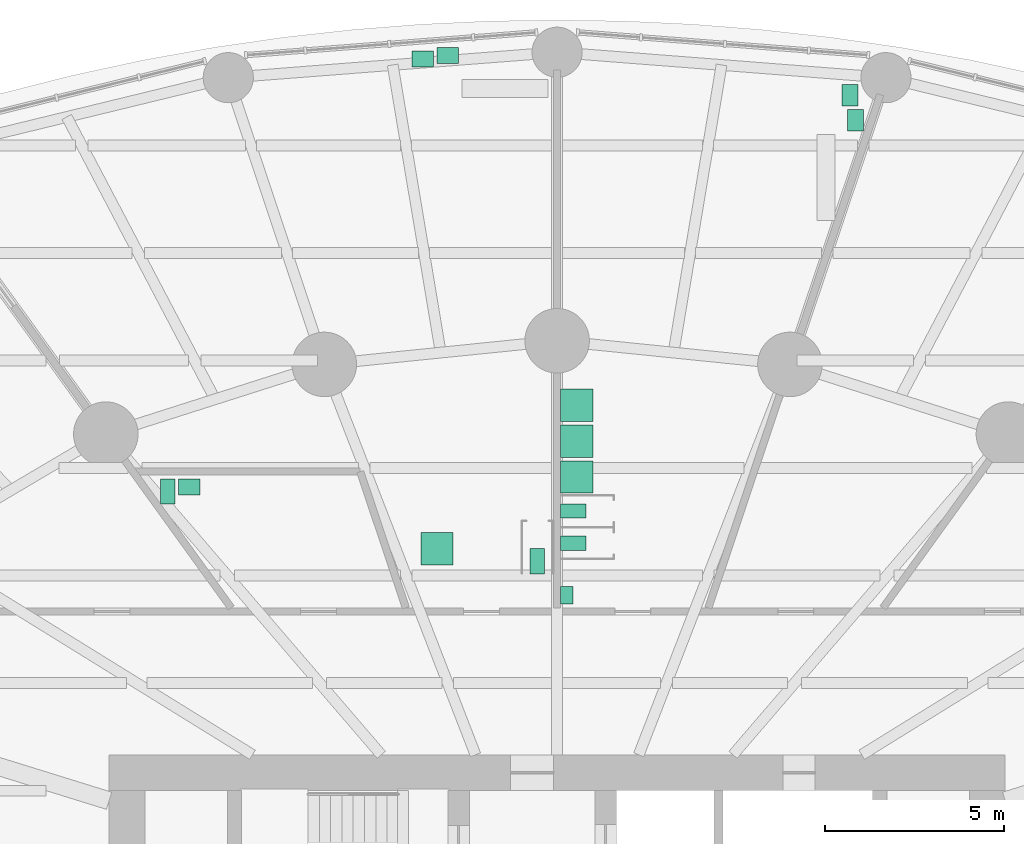
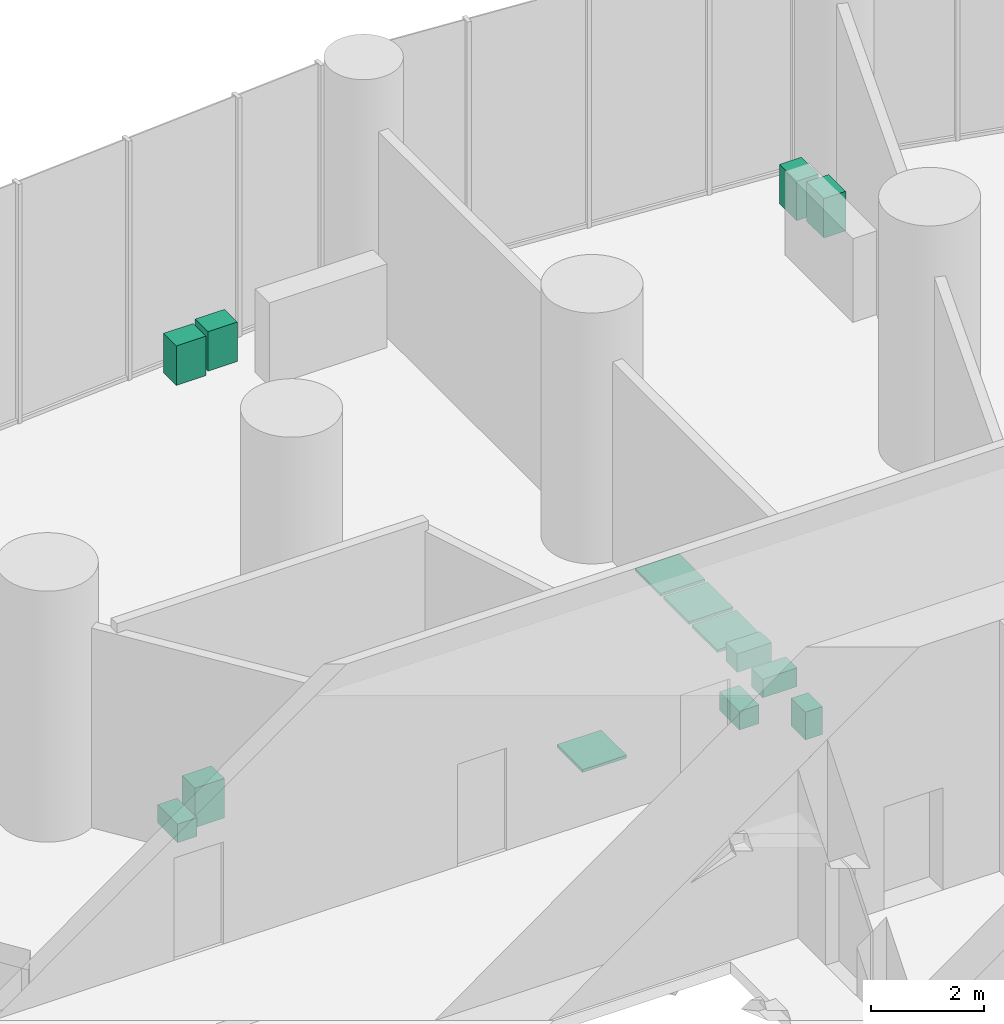
# One storey, part 21 of 23: 14 sanitary terminals.
"""IFC4 building model written with IfcOpenShell, lengths in metres."""

from ifc_helpers import new_model, si_unit, direction, frame, origin, origin_2d, place, context, subcontext, project, spatial, rectangle, extrude, element, save


model = new_model("IFC4")

# Units and contexts
model_context = context("Model", 3, precision=1e-05, world=origin(), true_north=direction((0.0, 1.0)))
body_context = subcontext(model_context, "Body", "Model", "MODEL_VIEW")
ifc_project = project(units=[si_unit("LENGTHUNIT", "METRE"), si_unit("AREAUNIT", "SQUARE_METRE"), si_unit("VOLUMEUNIT", "CUBIC_METRE"), si_unit("PLANEANGLEUNIT", "RADIAN"), si_unit("MASSUNIT", "GRAM", prefix="KILO")], contexts=[model_context])

# Site, building, storey
site_placement = place(None, origin())
site = spatial("IfcSite", under=ifc_project, at=site_placement, CompositionType="ELEMENT")
building_placement = place(site_placement, origin())
building = spatial("IfcBuilding", under=site, at=building_placement, Name="Hankou Lantern Tower", CompositionType="ELEMENT")
storey_placement = place(building_placement, frame((0.0, 0.0, 19.199951171875)))
storey = spatial("IfcBuildingStorey", under=building, at=storey_placement, Name="L03", CompositionType="ELEMENT", Elevation=19.199951171875)

# Sanitary terminals
for number, where, z_axis, x_axis, name in (
    (1, (0.449951171875, 14.39990234375, 0.0), (0.0, 0.0, 1.0), (0.0, 1.0, 0.0), "Male changing room WC pan 1"),
    (2, (0.449951171875, 15.300048828125, 0.0), (0.0, 0.0, 1.0), (0.0, 1.0, 0.0), "Male changing room WC pan 2"),
):
    element("IfcSanitaryTerminal", number, at=place(storey_placement, frame(where, z_axis=z_axis, x_axis=x_axis)), inside=storey, Name=name, PredefinedType="TOILETPAN", context=body_context, shape_type="SweptSolid", body=[
        extrude(rectangle(XDim=0.39990234375, YDim=0.699951171875, at=origin_2d()), origin(), (0.0, 0.0, 1.0), 0.39990234375),
    ])
sanitary_terminal_1_placement = place(storey_placement, frame((0.27490234375, 12.949951171875, 0.0), z_axis=(0.0, 0.0, 1.0), x_axis=(0.0, 1.0, 0.0)))
element("IfcSanitaryTerminal", 3, at=sanitary_terminal_1_placement, inside=storey, Name="Male changing room urinal 1", PredefinedType="URINAL", context=body_context, shape_type="SweptSolid", body=[
    extrude(rectangle(XDim=0.5, YDim=0.35009765625, at=origin_2d()), origin(), (0.0, 0.0, 1.0), 0.60009765625),
])
for number, where, z_axis, x_axis, name in (
    (4, (0.550048828125, 16.25, 0.0), (0.0, 0.0, 1.0), (0.0, 1.0, 0.0), "Male changing room shower tray 1"),
    (5, (0.550048828125, 17.25, 0.0), (0.0, 0.0, 1.0), (0.0, 1.0, 0.0), "Male changing room shower tray 2"),
    (6, (0.550048828125, 18.25, 0.0), (0.0, 0.0, 1.0), (0.0, 1.0, 0.0), "Male changing room shower tray 3"),
):
    element("IfcSanitaryTerminal", number, at=place(storey_placement, frame(where, z_axis=z_axis, x_axis=x_axis)), inside=storey, Name=name, PredefinedType="SHOWER", context=body_context, shape_type="SweptSolid", body=[
        extrude(rectangle(XDim=0.89990234375, YDim=0.89990234375, at=origin_2d()), origin(), (0.0, 0.0, 1.0), 0.06005859375),
    ])
for number, where, z_axis, x_axis, name in (
    (7, (8.32080078125, 26.199951171875, 0.0), (0.0, 0.0, 1.0), (0.0, 1.0, 0.0), "Male changing room wash basin 1"),
    (8, (8.1708984375, 26.89990234375, 0.0), (0.0, 0.0, 1.0), (0.0, 1.0, 0.0), "Male changing room wash basin 2"),
):
    element("IfcSanitaryTerminal", number, at=place(storey_placement, frame(where, z_axis=z_axis, x_axis=x_axis)), inside=storey, Name=name, PredefinedType="WASHHANDBASIN", context=body_context, shape_type="SweptSolid", body=[
        extrude(rectangle(XDim=0.60009765625, YDim=0.449951171875, at=origin_2d()), origin(), (0.0, 0.0, 1.0), 0.85009765625),
    ])
sanitary_terminal_2_placement = place(storey_placement, frame((-0.550048828125, 13.89990234375, 0.0), z_axis=(0.0, 0.0, 1.0), x_axis=(-1.0, 0.0, 0.0)))
element("IfcSanitaryTerminal", 9, at=sanitary_terminal_2_placement, inside=storey, Name="Female changing room WC pan 1", PredefinedType="TOILETPAN", context=body_context, shape_type="SweptSolid", body=[
    extrude(rectangle(XDim=0.39990234375, YDim=0.699951171875, at=origin_2d()), origin(), (0.0, 0.0, 1.0), 0.39990234375),
])
sanitary_terminal_3_placement = place(storey_placement, frame((-3.35009765625, 14.25, 0.0), z_axis=(0.0, 0.0, 1.0), x_axis=(-1.0, 0.0, 0.0)))
element("IfcSanitaryTerminal", 10, at=sanitary_terminal_3_placement, inside=storey, Name="Female changing room shower tray 1", PredefinedType="SHOWER", context=body_context, shape_type="SweptSolid", body=[
    extrude(rectangle(XDim=0.89990234375, YDim=0.89990234375, at=origin_2d()), origin(), (0.0, 0.0, 1.0), 0.06005859375),
])
for number, where, z_axis, x_axis, name in (
    (11, (-3.050048828125, 28.010498046875, 0.0), (0.0, 0.0, 1.0), (-1.0, 0.0, 0.0), "Female changing room wash basin 1"),
    (12, (-3.75, 27.910400390625, 0.0), (0.0, 0.0, 1.0), (-1.0, 0.0, 0.0), "Female changing room wash basin 2"),
):
    element("IfcSanitaryTerminal", number, at=place(storey_placement, frame(where, z_axis=z_axis, x_axis=x_axis)), inside=storey, Name=name, PredefinedType="WASHHANDBASIN", context=body_context, shape_type="SweptSolid", body=[
        extrude(rectangle(XDim=0.60009765625, YDim=0.449951171875, at=origin_2d()), origin(), (0.0, 0.0, 1.0), 0.85009765625),
    ])
sanitary_terminal_4_placement = place(storey_placement, frame((-10.863525390625, 15.85009765625, 0.0), z_axis=(0.0, 0.0, 1.0), x_axis=(1.0, 0.0, 0.0)))
element("IfcSanitaryTerminal", 13, at=sanitary_terminal_4_placement, inside=storey, Name="Accessible WC WC pan 1", PredefinedType="TOILETPAN", context=body_context, shape_type="SweptSolid", body=[
    extrude(rectangle(XDim=0.39990234375, YDim=0.699951171875, at=origin_2d()), origin(), (0.0, 0.0, 1.0), 0.39990234375),
])
sanitary_terminal_5_placement = place(storey_placement, frame((-10.263427734375, 15.97509765625, 0.0), z_axis=(0.0, 0.0, 1.0), x_axis=(1.0, 0.0, 0.0)))
element("IfcSanitaryTerminal", 14, at=sanitary_terminal_5_placement, inside=storey, Name="Accessible WC wash basin 1", PredefinedType="WASHHANDBASIN", context=body_context, shape_type="SweptSolid", body=[
    extrude(rectangle(XDim=0.60009765625, YDim=0.449951171875, at=origin_2d()), origin(), (0.0, 0.0, 1.0), 0.85009765625),
])

save(model, "model.ifc")
